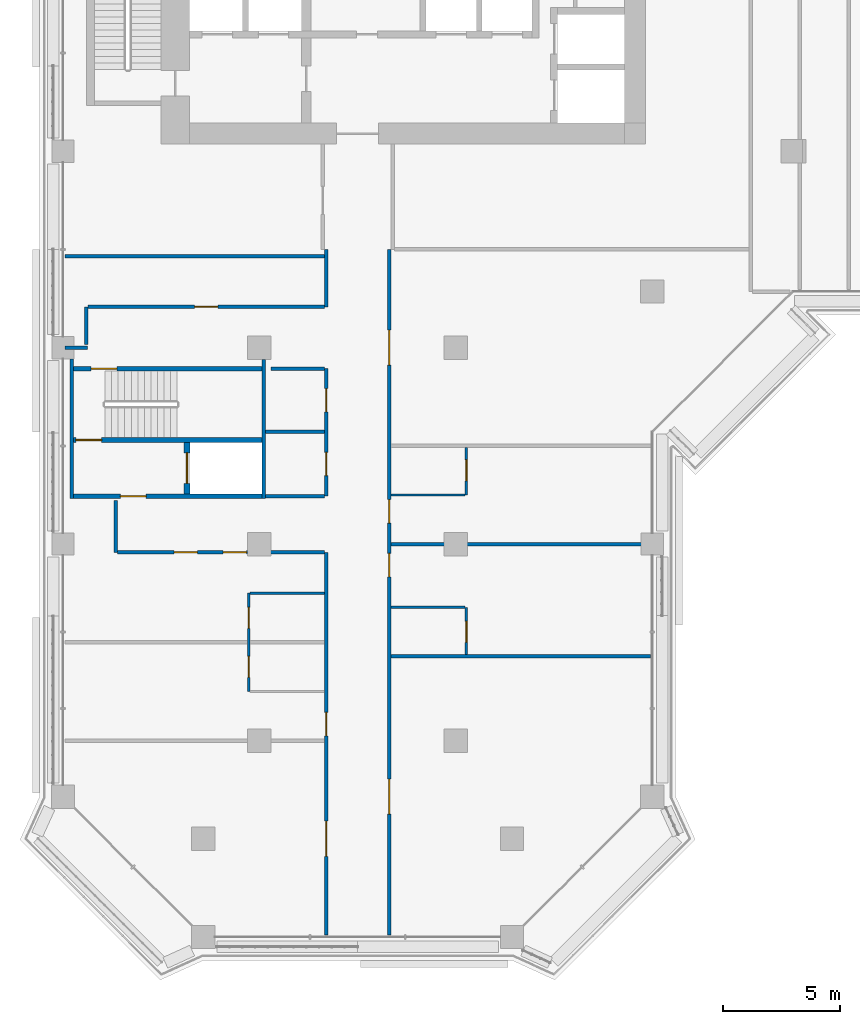
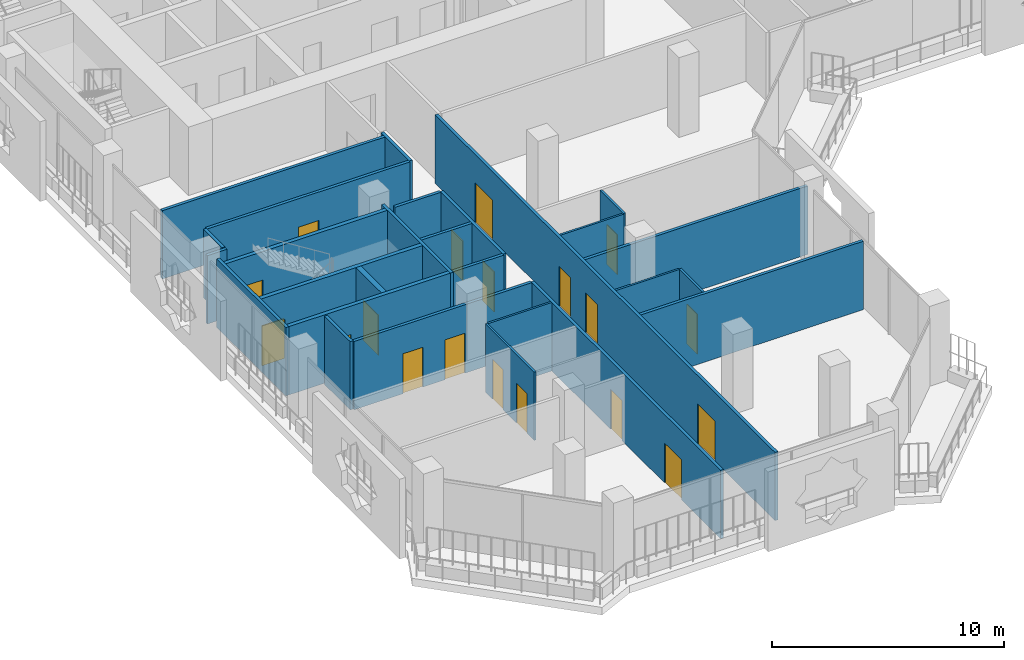
# One storey, part 11 of 24: 27 walls, 19 doors, 19 openings.
"""IFC4 building model written with IfcOpenShell, lengths in metres."""

from ifc_helpers import new_model, si_unit, direction, frame, frame_2d, origin, place, context, subcontext, project, spatial, rectangle, extrude, material, layer, layer_set, type_object, element, fill, save


model = new_model("IFC4")

# Units and contexts
model_context = context("Model", 3, precision=1e-05, world=origin(), true_north=direction((0.0, 1.0)))
body_context = subcontext(model_context, "Body", "Model", "MODEL_VIEW")
ifc_project = project(units=[si_unit("LENGTHUNIT", "METRE"), si_unit("AREAUNIT", "SQUARE_METRE"), si_unit("VOLUMEUNIT", "CUBIC_METRE"), si_unit("PLANEANGLEUNIT", "RADIAN"), si_unit("MASSUNIT", "GRAM", prefix="KILO")], contexts=[model_context])

# Site, building, storey
site_placement = place(None, origin())
site = spatial("IfcSite", under=ifc_project, at=site_placement, CompositionType="ELEMENT")
building_placement = place(site_placement, origin())
building = spatial("IfcBuilding", under=site, at=building_placement, Name="Kawkab Arch Medical Tower", CompositionType="ELEMENT")
storey_placement = place(building_placement, frame((0.0, 0.0, 162.60009765625)))
storey = spatial("IfcBuildingStorey", under=building, at=storey_placement, Name="L37", CompositionType="ELEMENT", Elevation=162.60009765625)

# Wall, opening, door
ifc_material_1 = material(Name="Concrete C60/75", Category="concrete")
ifc_layer_1 = layer(ifc_material_1, 0.25)
ifc_layer_set_1 = layer_set([ifc_layer_1], Name="Concrete C60/75")
wall_type_1 = type_object("IfcWallType", Name="Core shear wall 250 C60/75", PredefinedType="SHEAR", material=ifc_layer_set_1)
wall_1_placement = place(storey_placement, frame((5.300048828125, -39.85009765625, 0.0), z_axis=(0.0, 0.0, 1.0), x_axis=(0.0, 1.0, 0.0)))
wall_1 = element("IfcWall", 1, at=wall_1_placement, inside=storey, type_object=wall_type_1, Name="L37 core shear wall", PredefinedType="SHEAR", context=body_context, shape_type="SweptSolid", body=[
    extrude(rectangle(XDim=2.2001953125, YDim=0.25, at=frame_2d((1.10009765625, 0.0))), origin(), (0.0, 0.0, 1.0), 3.599853515625),
])
opening_1_placement = place(wall_1_placement, frame((0.449951171875, 0.0, 0.0)))
opening_1 = element("IfcOpeningElement", 2, at=opening_1_placement, cuts=wall_1, Name="Opening LD2", PredefinedType="OPENING", context=body_context, shape_type="SweptSolid", body=[
    extrude(rectangle(XDim=1.300048828125, YDim=2.10009765625, at=frame_2d((0.64990234375, 1.050048828125))), frame((0.0, 0.135009765625, 0.0), z_axis=(0.0, -1.0, 0.0), x_axis=(1.0, 0.0, 0.0)), (0.0, 0.0, 1.0), 0.27001953125),
])
ifc_material_2 = material(Name="Stainless steel lift door leaf", Category="steel")
door_type_1 = type_object("IfcDoorType", Name="Lift landing door 1300", OperationType="DOUBLE_DOOR_SLIDING", PredefinedType="DOOR", material=ifc_material_2)
door_1_placement = place(opening_1_placement, origin())
door_1 = element("IfcDoor", 3, at=door_1_placement, inside=storey, type_object=door_type_1, Name="L37 Lift landing door SV2", OperationType="DOUBLE_DOOR_SLIDING", OverallHeight=2.10009765625, OverallWidth=1.300048828125, PredefinedType="DOOR", context=body_context, shape_type="SweptSolid", body=[
    extrude(rectangle(XDim=1.300048828125, YDim=2.10009765625, at=frame_2d((0.64990234375, 1.050048828125))), frame((0.0, 0.02490234375, 0.0), z_axis=(0.0, -1.0, 0.0), x_axis=(1.0, 0.0, 0.0)), (0.0, 0.0, 1.0), 0.050048828125),
])
fill(opening_1, door_1)

# Walls
ifc_material_3 = material(Name="Gypsum board partition on steel studs", Category="steel")
ifc_layer_2 = layer(ifc_material_3, 0.10009765625)
ifc_layer_set_2 = layer_set([ifc_layer_2], Name="Gypsum board partition on steel studs")
wall_type_2 = type_object("IfcWallType", Name="Partition 100", PredefinedType="PARTITIONING", material=ifc_layer_set_2)
for number, where, z_axis, x_axis, name in (
    (4, (14.02490234375, -44.699951171875, 0.0), (0.0, 0.0, 1.0), (1.0, 0.0, 0.0), "Partition 100 w002"),
    (5, (8.0, -44.10009765625, 0.0), (0.0, 0.0, 1.0), (1.0, 0.0, 0.0), "Partition 100 w003"),
    (6, (14.02490234375, -39.89990234375, 0.0), (0.0, 0.0, 1.0), (1.0, 0.0, 0.0), "Partition 100 w004"),
):
    element("IfcWall", number, at=place(storey_placement, frame(where, z_axis=z_axis, x_axis=x_axis)), inside=storey, type_object=wall_type_2, Name=name, PredefinedType="PARTITIONING", context=body_context, shape_type="SweptSolid", body=[
        extrude(rectangle(XDim=3.175048828125, YDim=0.10009765625, at=frame_2d((1.58740234375, 0.0))), origin(), (0.0, 0.0, 1.0), 3.599853515625),
    ])

# Wall, openings, doors
wall_2_placement = place(storey_placement, frame((7.949951171875, -48.300048828125, 0.0), z_axis=(0.0, 0.0, 1.0), x_axis=(0.0, 1.0, 0.0)))
wall_2 = element("IfcWall", 7, at=wall_2_placement, inside=storey, type_object=wall_type_2, Name="Partition 100 w010", PredefinedType="PARTITIONING", context=body_context, shape_type="SweptSolid", body=[
    extrude(rectangle(XDim=4.199951171875, YDim=0.10009765625, at=frame_2d((2.10009765625, 0.0))), origin(), (0.0, 0.0, 1.0), 3.599853515625),
])
opening_2_placement = place(wall_2_placement, frame((2.699951171875, 0.0, 0.0)))
opening_2 = element("IfcOpeningElement", 8, at=opening_2_placement, cuts=wall_2, Name="Opening B37-011", PredefinedType="OPENING", context=body_context, shape_type="SweptSolid", body=[
    extrude(rectangle(XDim=0.89990234375, YDim=2.10009765625, at=frame_2d((0.449951171875, 1.050048828125))), frame((0.0, 0.06005859375, 0.0), z_axis=(0.0, -1.0, 0.0), x_axis=(1.0, 0.0, 0.0)), (0.0, 0.0, 1.0), 0.1201171875),
])
opening_3_placement = place(wall_2_placement, frame((0.60009765625, 0.0, 0.0)))
opening_3 = element("IfcOpeningElement", 9, at=opening_3_placement, cuts=wall_2, Name="Opening B37-012", PredefinedType="OPENING", context=body_context, shape_type="SweptSolid", body=[
    extrude(rectangle(XDim=0.89990234375, YDim=2.10009765625, at=frame_2d((0.449951171875, 1.050048828125))), frame((0.0, 0.06005859375, 0.0), z_axis=(0.0, -1.0, 0.0), x_axis=(1.0, 0.0, 0.0)), (0.0, 0.0, 1.0), 0.1201171875),
])
ifc_material_4 = material(Name="Timber door leaf", Category="wood")
door_type_2 = type_object("IfcDoorType", Name="Single door 900x2100", OperationType="NOTDEFINED", PredefinedType="DOOR", material=ifc_material_4)
door_2_placement = place(opening_2_placement, origin())
door_2 = element("IfcDoor", 10, at=door_2_placement, inside=storey, type_object=door_type_2, Name="Door B37-011", OperationType="SINGLE_SWING_RIGHT", OverallHeight=2.10009765625, OverallWidth=0.89990234375, PredefinedType="DOOR", context=body_context, shape_type="SweptSolid", body=[
    extrude(rectangle(XDim=0.89990234375, YDim=2.10009765625, at=frame_2d((0.449951171875, 1.050048828125))), frame((0.0, 0.02490234375, 0.0), z_axis=(0.0, -1.0, 0.0), x_axis=(1.0, 0.0, 0.0)), (0.0, 0.0, 1.0), 0.050048828125),
])
fill(opening_2, door_2)
door_3_placement = place(opening_3_placement, origin())
door_3 = element("IfcDoor", 11, at=door_3_placement, inside=storey, type_object=door_type_2, Name="Door B37-012", OperationType="SINGLE_SWING_LEFT", OverallHeight=2.10009765625, OverallWidth=0.89990234375, PredefinedType="DOOR", context=body_context, shape_type="SweptSolid", body=[
    extrude(rectangle(XDim=0.89990234375, YDim=2.10009765625, at=frame_2d((0.449951171875, 1.050048828125))), frame((0.0, 0.02490234375, 0.0), z_axis=(0.0, -1.0, 0.0), x_axis=(1.0, 0.0, 0.0)), (0.0, 0.0, 1.0), 0.050048828125),
])
fill(opening_3, door_3)

# Wall, opening, door
wall_3_placement = place(storey_placement, frame((17.25, -46.72509765625, 0.0), z_axis=(0.0, 0.0, 1.0), x_axis=(0.0, 1.0, 0.0)))
wall_3 = element("IfcWall", 12, at=wall_3_placement, inside=storey, type_object=wall_type_2, Name="Partition 100 w011", PredefinedType="PARTITIONING", context=body_context, shape_type="SweptSolid", body=[
    extrude(rectangle(XDim=2.025146484375, YDim=0.10009765625, at=frame_2d((1.0126953125, 0.0))), origin(), (0.0, 0.0, 1.0), 3.599853515625),
])
opening_4_placement = place(wall_3_placement, frame((0.52490234375, 0.0, 0.0)))
opening_4 = element("IfcOpeningElement", 13, at=opening_4_placement, cuts=wall_3, Name="Opening B37-014", PredefinedType="OPENING", context=body_context, shape_type="SweptSolid", body=[
    extrude(rectangle(XDim=0.89990234375, YDim=2.10009765625, at=frame_2d((0.449951171875, 1.050048828125))), frame((0.0, 0.06005859375, 0.0), z_axis=(0.0, -1.0, 0.0), x_axis=(1.0, 0.0, 0.0)), (0.0, 0.0, 1.0), 0.1201171875),
])
door_4_placement = place(opening_4_placement, origin())
door_4 = element("IfcDoor", 14, at=door_4_placement, inside=storey, type_object=door_type_2, Name="Door B37-014", OperationType="SINGLE_SWING_RIGHT", OverallHeight=2.10009765625, OverallWidth=0.89990234375, PredefinedType="DOOR", context=body_context, shape_type="SweptSolid", body=[
    extrude(rectangle(XDim=0.89990234375, YDim=2.10009765625, at=frame_2d((0.449951171875, 1.050048828125))), frame((0.0, 0.02490234375, 0.0), z_axis=(0.0, -1.0, 0.0), x_axis=(1.0, 0.0, 0.0)), (0.0, 0.0, 1.0), 0.050048828125),
])
fill(opening_4, door_4)

wall_4_placement = place(storey_placement, frame((17.25, -39.89990234375, 0.0), z_axis=(0.0, 0.0, 1.0), x_axis=(0.0, 1.0, 0.0)))
wall_4 = element("IfcWall", 15, at=wall_4_placement, inside=storey, type_object=wall_type_2, Name="Partition 100 w012", PredefinedType="PARTITIONING", context=body_context, shape_type="SweptSolid", body=[
    extrude(rectangle(XDim=2.02490234375, YDim=0.10009765625, at=frame_2d((1.012451171875, 0.0))), origin(), (0.0, 0.0, 1.0), 3.599853515625),
])
opening_5_placement = place(wall_4_placement, frame((0.60009765625, 0.0, 0.0)))
opening_5 = element("IfcOpeningElement", 16, at=opening_5_placement, cuts=wall_4, Name="Opening B37-013", PredefinedType="OPENING", context=body_context, shape_type="SweptSolid", body=[
    extrude(rectangle(XDim=0.89990234375, YDim=2.10009765625, at=frame_2d((0.449951171875, 1.050048828125))), frame((0.0, 0.06005859375, 0.0), z_axis=(0.0, -1.0, 0.0), x_axis=(1.0, 0.0, 0.0)), (0.0, 0.0, 1.0), 0.1201171875),
])
door_5_placement = place(opening_5_placement, origin())
door_5 = element("IfcDoor", 17, at=door_5_placement, inside=storey, type_object=door_type_2, Name="Door B37-013", OperationType="SINGLE_SWING_RIGHT", OverallHeight=2.10009765625, OverallWidth=0.89990234375, PredefinedType="DOOR", context=body_context, shape_type="SweptSolid", body=[
    extrude(rectangle(XDim=0.89990234375, YDim=2.10009765625, at=frame_2d((0.449951171875, 1.050048828125))), frame((0.0, 0.02490234375, 0.0), z_axis=(0.0, -1.0, 0.0), x_axis=(1.0, 0.0, 0.0)), (0.0, 0.0, 1.0), 0.050048828125),
])
fill(opening_5, door_5)

# Wall
ifc_material_5 = material(Name="Gypsum board partition on steel studs, mineral wool", Category="steel")
ifc_layer_3 = layer(ifc_material_5, 0.14990234375)
ifc_layer_set_3 = layer_set([ifc_layer_3], Name="Gypsum board partition on steel studs, mineral wool")
wall_type_3 = type_object("IfcWallType", Name="Partition 150", PredefinedType="PARTITIONING", material=ifc_layer_set_3)
wall_5_placement = place(storey_placement, frame((14.02490234375, -46.800048828125, 0.0), z_axis=(0.0, 0.0, 1.0), x_axis=(1.0, 0.0, 0.0)))
element("IfcWall", 18, at=wall_5_placement, inside=storey, type_object=wall_type_3, Name="Partition 150 w022", PredefinedType="PARTITIONING", context=body_context, shape_type="SweptSolid", body=[
    extrude(rectangle(XDim=11.09521484375, YDim=0.14990234375, at=frame_2d((5.547607421875, 0.0))), origin(), (0.0, 0.0, 1.0), 3.599853515625),
])

# Wall, openings, doors
wall_6_placement = place(storey_placement, frame((2.326904296875, -42.35009765625, 0.0), z_axis=(0.0, 0.0, 1.0), x_axis=(1.0, 0.0, 0.0)))
wall_6 = element("IfcWall", 19, at=wall_6_placement, inside=storey, type_object=wall_type_3, Name="Partition 150 w024", PredefinedType="PARTITIONING", context=body_context, shape_type="SweptSolid", body=[
    extrude(rectangle(XDim=8.84814453125, YDim=0.14990234375, at=frame_2d((4.424072265625, 0.0))), origin(), (0.0, 0.0, 1.0), 3.599853515625),
])
opening_6_placement = place(wall_6_placement, frame((4.52392578125, 0.0, 0.0)))
opening_6 = element("IfcOpeningElement", 20, at=opening_6_placement, cuts=wall_6, Name="Opening B37-035", PredefinedType="OPENING", context=body_context, shape_type="SweptSolid", body=[
    extrude(rectangle(XDim=1.0, YDim=2.10009765625, at=frame_2d((0.5, 1.050048828125))), frame((0.0, 0.0849609375, 0.0), z_axis=(0.0, -1.0, 0.0), x_axis=(1.0, 0.0, 0.0)), (0.0, 0.0, 1.0), 0.169921875),
])
opening_7_placement = place(wall_6_placement, frame((2.424072265625, 0.0, 0.0)))
opening_7 = element("IfcOpeningElement", 21, at=opening_7_placement, cuts=wall_6, Name="Opening B37-036", PredefinedType="OPENING", context=body_context, shape_type="SweptSolid", body=[
    extrude(rectangle(XDim=1.0, YDim=2.10009765625, at=frame_2d((0.5, 1.050048828125))), frame((0.0, 0.0849609375, 0.0), z_axis=(0.0, -1.0, 0.0), x_axis=(1.0, 0.0, 0.0)), (0.0, 0.0, 1.0), 0.169921875),
])
ifc_material_6 = material(Name="Hollow metal door leaf")
door_type_3 = type_object("IfcDoorType", Name="Single door 1000x2100 FD30S", OperationType="NOTDEFINED", PredefinedType="DOOR", material=ifc_material_6)
door_6_placement = place(opening_6_placement, origin())
door_6 = element("IfcDoor", 22, at=door_6_placement, inside=storey, type_object=door_type_3, Name="Door B37-035", OperationType="SINGLE_SWING_LEFT", OverallHeight=2.10009765625, OverallWidth=1.0, PredefinedType="DOOR", context=body_context, shape_type="SweptSolid", body=[
    extrude(rectangle(XDim=1.0, YDim=2.10009765625, at=frame_2d((0.5, 1.050048828125))), frame((0.0, 0.02490234375, 0.0), z_axis=(0.0, -1.0, 0.0), x_axis=(1.0, 0.0, 0.0)), (0.0, 0.0, 1.0), 0.050048828125),
])
fill(opening_6, door_6)
door_7_placement = place(opening_7_placement, origin())
door_7 = element("IfcDoor", 23, at=door_7_placement, inside=storey, type_object=door_type_3, Name="Door B37-036", OperationType="SINGLE_SWING_RIGHT", OverallHeight=2.10009765625, OverallWidth=1.0, PredefinedType="DOOR", context=body_context, shape_type="SweptSolid", body=[
    extrude(rectangle(XDim=1.0, YDim=2.10009765625, at=frame_2d((0.5, 1.050048828125))), frame((0.0, 0.02490234375, 0.0), z_axis=(0.0, -1.0, 0.0), x_axis=(1.0, 0.0, 0.0)), (0.0, 0.0, 1.0), 0.050048828125),
])
fill(opening_7, door_7)

# Walls
wall_7_placement = place(storey_placement, frame((14.02490234375, -42.0, 0.0), z_axis=(0.0, 0.0, 1.0), x_axis=(1.0, 0.0, 0.0)))
element("IfcWall", 24, at=wall_7_placement, inside=storey, type_object=wall_type_3, Name="Partition 150 w025", PredefinedType="PARTITIONING", context=body_context, shape_type="SweptSolid", body=[
    extrude(rectangle(XDim=11.09521484375, YDim=0.14990234375, at=frame_2d((5.547607421875, 0.0))), origin(), (0.0, 0.0, 1.0), 3.599853515625),
])
for number, where, z_axis, x_axis, name in (
    (25, (8.64990234375, -39.949951171875, 0.0), (0.0, 0.0, 1.0), (1.0, 0.0, 0.0), "Partition 150 w026"),
    (26, (8.64990234375, -37.199951171875, 0.0), (0.0, 0.0, 1.0), (1.0, 0.0, 0.0), "Partition 150 w028"),
):
    element("IfcWall", number, at=place(storey_placement, frame(where, z_axis=z_axis, x_axis=x_axis)), inside=storey, type_object=wall_type_3, Name=name, PredefinedType="PARTITIONING", context=body_context, shape_type="SweptSolid", body=[
        extrude(rectangle(XDim=2.525146484375, YDim=0.14990234375, at=frame_2d((1.2626953125, 0.0))), origin(), (0.0, 0.0, 1.0), 3.599853515625),
    ])
wall_8_placement = place(storey_placement, frame((8.89990234375, -34.5, 0.0), z_axis=(0.0, 0.0, 1.0), x_axis=(1.0, 0.0, 0.0)))
element("IfcWall", 27, at=wall_8_placement, inside=storey, type_object=wall_type_3, Name="Partition 150 w029", PredefinedType="PARTITIONING", context=body_context, shape_type="SweptSolid", body=[
    extrude(rectangle(XDim=2.275146484375, YDim=0.14990234375, at=frame_2d((1.1376953125, 0.0))), origin(), (0.0, 0.0, 1.0), 3.599853515625),
])
wall_9_placement = place(storey_placement, frame((0.080078125, -33.60009765625, 0.0), z_axis=(0.0, 0.0, 1.0), x_axis=(1.0, 0.0, 0.0)))
element("IfcWall", 28, at=wall_9_placement, inside=storey, type_object=wall_type_3, Name="Partition 150 w030", PredefinedType="PARTITIONING", context=body_context, shape_type="SweptSolid", body=[
    extrude(rectangle(XDim=0.969970703125, YDim=0.14990234375, at=frame_2d((0.48486328125, 0.0))), origin(), (0.0, 0.0, 1.0), 3.599853515625),
])

# Wall, opening, door
wall_10_placement = place(storey_placement, frame((1.074951171875, -31.85693359375, 0.0), z_axis=(0.0, 0.0, 1.0), x_axis=(1.0, 0.0, 0.0)))
wall_10 = element("IfcWall", 29, at=wall_10_placement, inside=storey, type_object=wall_type_3, Name="Partition 150 w031", PredefinedType="PARTITIONING", context=body_context, shape_type="SweptSolid", body=[
    extrude(rectangle(XDim=10.10009765625, YDim=0.14990234375, at=frame_2d((5.050048828125, 0.0))), origin(), (0.0, 0.0, 1.0), 3.599853515625),
])
opening_8_placement = place(wall_10_placement, frame((4.550048828125, 0.0, 0.0)))
opening_8 = element("IfcOpeningElement", 30, at=opening_8_placement, cuts=wall_10, Name="Opening B37-032", PredefinedType="OPENING", context=body_context, shape_type="SweptSolid", body=[
    extrude(rectangle(XDim=1.0, YDim=2.10009765625, at=frame_2d((0.5, 1.050048828125))), frame((0.0, 0.0849609375, 0.0), z_axis=(0.0, -1.0, 0.0), x_axis=(1.0, 0.0, 0.0)), (0.0, 0.0, 1.0), 0.169921875),
])
door_8_placement = place(opening_8_placement, origin())
door_8 = element("IfcDoor", 31, at=door_8_placement, inside=storey, type_object=door_type_3, Name="Door B37-032", OperationType="SINGLE_SWING_RIGHT", OverallHeight=2.10009765625, OverallWidth=1.0, PredefinedType="DOOR", context=body_context, shape_type="SweptSolid", body=[
    extrude(rectangle(XDim=1.0, YDim=2.10009765625, at=frame_2d((0.5, 1.050048828125))), frame((0.0, 0.02490234375, 0.0), z_axis=(0.0, -1.0, 0.0), x_axis=(1.0, 0.0, 0.0)), (0.0, 0.0, 1.0), 0.050048828125),
])
fill(opening_8, door_8)

# Walls
wall_11_placement = place(storey_placement, frame((0.080078125, -29.699951171875, 0.0), z_axis=(0.0, 0.0, 1.0), x_axis=(1.0, 0.0, 0.0)))
element("IfcWall", 32, at=wall_11_placement, inside=storey, type_object=wall_type_3, Name="Partition 150 w033", PredefinedType="PARTITIONING", context=body_context, shape_type="SweptSolid", body=[
    extrude(rectangle(XDim=11.094970703125, YDim=0.14990234375, at=frame_2d((5.54736328125, 0.0))), origin(), (0.0, 0.0, 1.0), 3.599853515625),
])
wall_12_placement = place(storey_placement, frame((1.0, -33.465087890625, 0.0), z_axis=(0.0, 0.0, 1.0), x_axis=(0.0, 1.0, 0.0)))
element("IfcWall", 33, at=wall_12_placement, inside=storey, type_object=wall_type_3, Name="Partition 150 w045", PredefinedType="PARTITIONING", context=body_context, shape_type="SweptSolid", body=[
    extrude(rectangle(XDim=1.608154296875, YDim=0.14990234375, at=frame_2d((0.80419921875, 0.0))), origin(), (0.0, 0.0, 1.0), 3.599853515625),
])
wall_13_placement = place(storey_placement, frame((2.25, -42.347900390625, 0.0), z_axis=(0.0, 0.0, 1.0), x_axis=(0.0, 1.0, 0.0)))
element("IfcWall", 34, at=wall_13_placement, inside=storey, type_object=wall_type_3, Name="Partition 150 w046", PredefinedType="PARTITIONING", context=body_context, shape_type="SweptSolid", body=[
    extrude(rectangle(XDim=2.218017578125, YDim=0.14990234375, at=frame_2d((1.10888671875, 0.0))), origin(), (0.0, 0.0, 1.0), 3.599853515625),
])

# Wall, openings, doors
wall_14_placement = place(storey_placement, frame((11.25, -58.719970703125, 0.0), z_axis=(0.0, 0.0, 1.0), x_axis=(0.0, 1.0, 0.0)))
wall_14 = element("IfcWall", 35, at=wall_14_placement, inside=storey, type_object=wall_type_3, Name="Partition 150 w048", PredefinedType="PARTITIONING", context=body_context, shape_type="SweptSolid", body=[
    extrude(rectangle(XDim=16.369873046875, YDim=0.14990234375, at=frame_2d((8.18505859375, 0.0))), origin(), (0.0, 0.0, 1.0), 3.599853515625),
])
opening_9_placement = place(wall_14_placement, frame((8.52001953125, 0.0, 0.0)))
opening_9 = element("IfcOpeningElement", 36, at=opening_9_placement, cuts=wall_14, Name="Opening B37-037", PredefinedType="OPENING", context=body_context, shape_type="SweptSolid", body=[
    extrude(rectangle(XDim=1.0, YDim=2.10009765625, at=frame_2d((0.5, 1.050048828125))), frame((0.0, 0.0849609375, 0.0), z_axis=(0.0, -1.0, 0.0), x_axis=(1.0, 0.0, 0.0)), (0.0, 0.0, 1.0), 0.169921875),
])
opening_10_placement = place(wall_14_placement, frame((3.3701171875, 0.0, 0.0)))
opening_10 = element("IfcOpeningElement", 37, at=opening_10_placement, cuts=wall_14, Name="Opening B37-002", PredefinedType="OPENING", context=body_context, shape_type="SweptSolid", body=[
    extrude(rectangle(XDim=1.5, YDim=2.10009765625, at=frame_2d((0.75, 1.050048828125))), frame((0.0, 0.0849609375, 0.0), z_axis=(0.0, -1.0, 0.0), x_axis=(1.0, 0.0, 0.0)), (0.0, 0.0, 1.0), 0.169921875),
])
ifc_material_7 = material(Name="Hollow metal door leaf")
door_type_4 = type_object("IfcDoorType", Name="Double door 1500x2100 FD30S", OperationType="NOTDEFINED", PredefinedType="DOOR", material=ifc_material_7)
door_9_placement = place(opening_10_placement, origin())
door_9 = element("IfcDoor", 38, at=door_9_placement, inside=storey, type_object=door_type_4, Name="Door B37-002", OperationType="DOUBLE_DOOR_SINGLE_SWING", OverallHeight=2.10009765625, OverallWidth=1.5, PredefinedType="DOOR", context=body_context, shape_type="SweptSolid", body=[
    extrude(rectangle(XDim=1.5, YDim=2.10009765625, at=frame_2d((0.75, 1.050048828125))), frame((0.0, 0.02490234375, 0.0), z_axis=(0.0, -1.0, 0.0), x_axis=(1.0, 0.0, 0.0)), (0.0, 0.0, 1.0), 0.050048828125),
])
fill(opening_10, door_9)
door_10_placement = place(opening_9_placement, origin())
door_10 = element("IfcDoor", 39, at=door_10_placement, inside=storey, type_object=door_type_3, Name="Door B37-037", OperationType="SINGLE_SWING_RIGHT", OverallHeight=2.10009765625, OverallWidth=1.0, PredefinedType="DOOR", context=body_context, shape_type="SweptSolid", body=[
    extrude(rectangle(XDim=1.0, YDim=2.10009765625, at=frame_2d((0.5, 1.050048828125))), frame((0.0, 0.02490234375, 0.0), z_axis=(0.0, -1.0, 0.0), x_axis=(1.0, 0.0, 0.0)), (0.0, 0.0, 1.0), 0.050048828125),
])
fill(opening_9, door_10)

wall_15_placement = place(storey_placement, frame((11.25, -39.949951171875, 0.0), z_axis=(0.0, 0.0, 1.0), x_axis=(0.0, 1.0, 0.0)))
wall_15 = element("IfcWall", 40, at=wall_15_placement, inside=storey, type_object=wall_type_3, Name="Partition 150 w049", PredefinedType="PARTITIONING", context=body_context, shape_type="SweptSolid", body=[
    extrude(rectangle(XDim=5.449951171875, YDim=0.14990234375, at=frame_2d((2.72509765625, 0.0))), origin(), (0.0, 0.0, 1.0), 3.599853515625),
])
opening_11_placement = place(wall_15_placement, frame((3.60009765625, 0.0, 0.0)))
opening_11 = element("IfcOpeningElement", 41, at=opening_11_placement, cuts=wall_15, Name="Opening B37-033", PredefinedType="OPENING", context=body_context, shape_type="SweptSolid", body=[
    extrude(rectangle(XDim=1.0, YDim=2.10009765625, at=frame_2d((0.5, 1.050048828125))), frame((0.0, 0.0849609375, 0.0), z_axis=(0.0, -1.0, 0.0), x_axis=(1.0, 0.0, 0.0)), (0.0, 0.0, 1.0), 0.169921875),
])
opening_12_placement = place(wall_15_placement, frame((0.875, 0.0, 0.0)))
opening_12 = element("IfcOpeningElement", 42, at=opening_12_placement, cuts=wall_15, Name="Opening B37-034", PredefinedType="OPENING", context=body_context, shape_type="SweptSolid", body=[
    extrude(rectangle(XDim=1.0, YDim=2.10009765625, at=frame_2d((0.5, 1.050048828125))), frame((0.0, 0.0849609375, 0.0), z_axis=(0.0, -1.0, 0.0), x_axis=(1.0, 0.0, 0.0)), (0.0, 0.0, 1.0), 0.169921875),
])
door_11_placement = place(opening_11_placement, origin())
door_11 = element("IfcDoor", 43, at=door_11_placement, inside=storey, type_object=door_type_3, Name="Door B37-033", OperationType="SINGLE_SWING_RIGHT", OverallHeight=2.10009765625, OverallWidth=1.0, PredefinedType="DOOR", context=body_context, shape_type="SweptSolid", body=[
    extrude(rectangle(XDim=1.0, YDim=2.10009765625, at=frame_2d((0.5, 1.050048828125))), frame((0.0, 0.02490234375, 0.0), z_axis=(0.0, -1.0, 0.0), x_axis=(1.0, 0.0, 0.0)), (0.0, 0.0, 1.0), 0.050048828125),
])
fill(opening_11, door_11)
door_12_placement = place(opening_12_placement, origin())
door_12 = element("IfcDoor", 44, at=door_12_placement, inside=storey, type_object=door_type_3, Name="Door B37-034", OperationType="SINGLE_SWING_LEFT", OverallHeight=2.10009765625, OverallWidth=1.0, PredefinedType="DOOR", context=body_context, shape_type="SweptSolid", body=[
    extrude(rectangle(XDim=1.0, YDim=2.10009765625, at=frame_2d((0.5, 1.050048828125))), frame((0.0, 0.02490234375, 0.0), z_axis=(0.0, -1.0, 0.0), x_axis=(1.0, 0.0, 0.0)), (0.0, 0.0, 1.0), 0.050048828125),
])
fill(opening_12, door_12)

# Wall
wall_16_placement = place(storey_placement, frame((11.25, -31.85693359375, 0.0), z_axis=(0.0, 0.0, 1.0), x_axis=(0.0, 1.0, 0.0)))
element("IfcWall", 45, at=wall_16_placement, inside=storey, type_object=wall_type_3, Name="Partition 150 w050", PredefinedType="PARTITIONING", context=body_context, shape_type="SweptSolid", body=[
    extrude(rectangle(XDim=2.45703125, YDim=0.14990234375, at=frame_2d((1.228515625, 0.0))), origin(), (0.0, 0.0, 1.0), 3.599853515625),
])

# Wall, openings, doors
wall_17_placement = place(storey_placement, frame((13.949951171875, -58.719970703125, 0.0), z_axis=(0.0, 0.0, 1.0), x_axis=(0.0, 1.0, 0.0)))
wall_17 = element("IfcWall", 46, at=wall_17_placement, inside=storey, type_object=wall_type_3, Name="Partition 150 w051", PredefinedType="PARTITIONING", context=body_context, shape_type="SweptSolid", body=[
    extrude(rectangle(XDim=29.320068359375, YDim=0.14990234375, at=frame_2d((14.66015625, 0.0))), origin(), (0.0, 0.0, 1.0), 3.599853515625),
])
opening_13_placement = place(wall_17_placement, frame((24.3701171875, 0.0, 0.0)))
opening_13 = element("IfcOpeningElement", 47, at=opening_13_placement, cuts=wall_17, Name="Opening B37-003", PredefinedType="OPENING", context=body_context, shape_type="SweptSolid", body=[
    extrude(rectangle(XDim=1.5, YDim=2.10009765625, at=frame_2d((0.75, 1.050048828125))), frame((0.0, 0.0849609375, 0.0), z_axis=(0.0, -1.0, 0.0), x_axis=(1.0, 0.0, 0.0)), (0.0, 0.0, 1.0), 0.169921875),
])
opening_14_placement = place(wall_17_placement, frame((17.6201171875, 0.0, 0.0)))
opening_14 = element("IfcOpeningElement", 48, at=opening_14_placement, cuts=wall_17, Name="Opening B37-038", PredefinedType="OPENING", context=body_context, shape_type="SweptSolid", body=[
    extrude(rectangle(XDim=1.0, YDim=2.10009765625, at=frame_2d((0.5, 1.050048828125))), frame((0.0, 0.0849609375, 0.0), z_axis=(0.0, -1.0, 0.0), x_axis=(1.0, 0.0, 0.0)), (0.0, 0.0, 1.0), 0.169921875),
])
opening_15_placement = place(wall_17_placement, frame((15.320068359375, 0.0, 0.0)))
opening_15 = element("IfcOpeningElement", 49, at=opening_15_placement, cuts=wall_17, Name="Opening B37-039", PredefinedType="OPENING", context=body_context, shape_type="SweptSolid", body=[
    extrude(rectangle(XDim=1.0, YDim=2.10009765625, at=frame_2d((0.5, 1.050048828125))), frame((0.0, 0.0849609375, 0.0), z_axis=(0.0, -1.0, 0.0), x_axis=(1.0, 0.0, 0.0)), (0.0, 0.0, 1.0), 0.169921875),
])
opening_16_placement = place(wall_17_placement, frame((5.169921875, 0.0, 0.0)))
opening_16 = element("IfcOpeningElement", 50, at=opening_16_placement, cuts=wall_17, Name="Opening B37-004", PredefinedType="OPENING", context=body_context, shape_type="SweptSolid", body=[
    extrude(rectangle(XDim=1.5, YDim=2.10009765625, at=frame_2d((0.75, 1.050048828125))), frame((0.0, 0.0849609375, 0.0), z_axis=(0.0, -1.0, 0.0), x_axis=(1.0, 0.0, 0.0)), (0.0, 0.0, 1.0), 0.169921875),
])
door_13_placement = place(opening_13_placement, origin())
door_13 = element("IfcDoor", 51, at=door_13_placement, inside=storey, type_object=door_type_4, Name="Door B37-003", OperationType="DOUBLE_DOOR_SINGLE_SWING", OverallHeight=2.10009765625, OverallWidth=1.5, PredefinedType="DOOR", context=body_context, shape_type="SweptSolid", body=[
    extrude(rectangle(XDim=1.5, YDim=2.10009765625, at=frame_2d((0.75, 1.050048828125))), frame((0.0, 0.02490234375, 0.0), z_axis=(0.0, -1.0, 0.0), x_axis=(1.0, 0.0, 0.0)), (0.0, 0.0, 1.0), 0.050048828125),
])
fill(opening_13, door_13)
door_14_placement = place(opening_16_placement, origin())
door_14 = element("IfcDoor", 52, at=door_14_placement, inside=storey, type_object=door_type_4, Name="Door B37-004", OperationType="DOUBLE_DOOR_SINGLE_SWING", OverallHeight=2.10009765625, OverallWidth=1.5, PredefinedType="DOOR", context=body_context, shape_type="SweptSolid", body=[
    extrude(rectangle(XDim=1.5, YDim=2.10009765625, at=frame_2d((0.75, 1.050048828125))), frame((0.0, 0.02490234375, 0.0), z_axis=(0.0, -1.0, 0.0), x_axis=(1.0, 0.0, 0.0)), (0.0, 0.0, 1.0), 0.050048828125),
])
fill(opening_16, door_14)
door_15_placement = place(opening_14_placement, origin())
door_15 = element("IfcDoor", 53, at=door_15_placement, inside=storey, type_object=door_type_3, Name="Door B37-038", OperationType="SINGLE_SWING_LEFT", OverallHeight=2.10009765625, OverallWidth=1.0, PredefinedType="DOOR", context=body_context, shape_type="SweptSolid", body=[
    extrude(rectangle(XDim=1.0, YDim=2.10009765625, at=frame_2d((0.5, 1.050048828125))), frame((0.0, 0.02490234375, 0.0), z_axis=(0.0, -1.0, 0.0), x_axis=(1.0, 0.0, 0.0)), (0.0, 0.0, 1.0), 0.050048828125),
])
fill(opening_14, door_15)
door_16_placement = place(opening_15_placement, origin())
door_16 = element("IfcDoor", 54, at=door_16_placement, inside=storey, type_object=door_type_3, Name="Door B37-039", OperationType="SINGLE_SWING_LEFT", OverallHeight=2.10009765625, OverallWidth=1.0, PredefinedType="DOOR", context=body_context, shape_type="SweptSolid", body=[
    extrude(rectangle(XDim=1.0, YDim=2.10009765625, at=frame_2d((0.5, 1.050048828125))), frame((0.0, 0.02490234375, 0.0), z_axis=(0.0, -1.0, 0.0), x_axis=(1.0, 0.0, 0.0)), (0.0, 0.0, 1.0), 0.050048828125),
])
fill(opening_15, door_16)

# Walls
ifc_material_8 = material(Name="Concrete C50/60", Category="concrete")
ifc_layer_4 = layer(ifc_material_8, 0.14990234375)
ifc_layer_set_4 = layer_set([ifc_layer_4], Name="Concrete C50/60")
wall_type_4 = type_object("IfcWallType", Name="Stair enclosure wall 150 C50/60", PredefinedType="SHEAR", material=ifc_layer_set_4)
wall_18_placement = place(storey_placement, frame((0.375, -40.050048828125, 0.0), z_axis=(0.0, 0.0, 1.0), x_axis=(0.0, 1.0, 0.0)))
element("IfcWall", 55, at=wall_18_placement, inside=storey, type_object=wall_type_4, Name="L37 stair enclosure wall", PredefinedType="SHEAR", context=body_context, shape_type="SweptSolid", body=[
    extrude(rectangle(XDim=5.97509765625, YDim=0.14990234375, at=frame_2d((2.987548828125, 0.0))), origin(), (0.0, 0.0, 1.0), 3.599853515625),
])
wall_19_placement = place(storey_placement, frame((8.574951171875, -40.050048828125, 0.0), z_axis=(0.0, 0.0, 1.0), x_axis=(0.0, 1.0, 0.0)))
element("IfcWall", 56, at=wall_19_placement, inside=storey, type_object=wall_type_4, Name="L37 stair enclosure wall", PredefinedType="SHEAR", context=body_context, shape_type="SweptSolid", body=[
    extrude(rectangle(XDim=5.949951171875, YDim=0.14990234375, at=frame_2d((2.97509765625, 0.0))), origin(), (0.0, 0.0, 1.0), 3.599853515625),
])

# Wall, opening, door
ifc_material_9 = material(Name="Concrete C50/60", Category="concrete")
ifc_layer_5 = layer(ifc_material_9, 0.199951171875)
ifc_layer_set_5 = layer_set([ifc_layer_5], Name="Concrete C50/60")
wall_type_5 = type_object("IfcWallType", Name="Stair enclosure wall 200 C50/60", PredefinedType="SHEAR", material=ifc_layer_set_5)
wall_20_placement = place(storey_placement, frame((0.449951171875, -34.5, 0.0), z_axis=(0.0, 0.0, 1.0), x_axis=(1.0, 0.0, 0.0)))
wall_20 = element("IfcWall", 57, at=wall_20_placement, inside=storey, type_object=wall_type_5, Name="L37 stair enclosure wall", PredefinedType="SHEAR", context=body_context, shape_type="SweptSolid", body=[
    extrude(rectangle(XDim=8.050048828125, YDim=0.199951171875, at=frame_2d((4.02490234375, 0.0))), origin(), (0.0, 0.0, 1.0), 3.599853515625),
])
opening_17_placement = place(wall_20_placement, frame((0.75, 0.0, 0.0)))
opening_17 = element("IfcOpeningElement", 58, at=opening_17_placement, cuts=wall_20, Name="Opening SD", PredefinedType="OPENING", context=body_context, shape_type="SweptSolid", body=[
    extrude(rectangle(XDim=1.10009765625, YDim=2.10009765625, at=frame_2d((0.550048828125, 1.050048828125))), frame((0.0, 0.10986328125, 0.0), z_axis=(0.0, -1.0, 0.0), x_axis=(1.0, 0.0, 0.0)), (0.0, 0.0, 1.0), 0.219970703125),
])
ifc_material_10 = material(Name="Hollow metal fire door leaf")
door_type_5 = type_object("IfcDoorType", Name="Exit stair door 1100", OperationType="SINGLE_SWING_LEFT", PredefinedType="DOOR", material=ifc_material_10)
door_17_placement = place(opening_17_placement, origin())
door_17 = element("IfcDoor", 59, at=door_17_placement, inside=storey, type_object=door_type_5, Name="L37 Exit stair ST6 door", OperationType="SINGLE_SWING_LEFT", OverallHeight=2.10009765625, OverallWidth=1.10009765625, PredefinedType="DOOR", context=body_context, shape_type="SweptSolid", body=[
    extrude(rectangle(XDim=1.10009765625, YDim=2.10009765625, at=frame_2d((0.550048828125, 1.050048828125))), frame((0.0, 0.02490234375, 0.0), z_axis=(0.0, -1.0, 0.0), x_axis=(1.0, 0.0, 0.0)), (0.0, 0.0, 1.0), 0.050048828125),
])
fill(opening_17, door_17)

wall_21_placement = place(storey_placement, frame((0.449951171875, -37.550048828125, 0.0), z_axis=(0.0, 0.0, 1.0), x_axis=(1.0, 0.0, 0.0)))
wall_21 = element("IfcWall", 60, at=wall_21_placement, inside=storey, type_object=wall_type_5, Name="L37 stair enclosure wall", PredefinedType="SHEAR", context=body_context, shape_type="SweptSolid", body=[
    extrude(rectangle(XDim=8.050048828125, YDim=0.199951171875, at=frame_2d((4.02490234375, 0.0))), origin(), (0.0, 0.0, 1.0), 3.599853515625),
])
opening_18_placement = place(wall_21_placement, frame((0.10009765625, 0.0, 0.0)))
opening_18 = element("IfcOpeningElement", 61, at=opening_18_placement, cuts=wall_21, Name="Opening SD", PredefinedType="OPENING", context=body_context, shape_type="SweptSolid", body=[
    extrude(rectangle(XDim=1.10009765625, YDim=2.10009765625, at=frame_2d((0.550048828125, 1.050048828125))), frame((0.0, 0.10986328125, 0.0), z_axis=(0.0, -1.0, 0.0), x_axis=(1.0, 0.0, 0.0)), (0.0, 0.0, 1.0), 0.219970703125),
])
door_18_placement = place(opening_18_placement, frame((1.10009765625, 0.0, 0.0), z_axis=(0.0, 0.0, 1.0), x_axis=(-1.0, 0.0, 0.0)))
door_18 = element("IfcDoor", 62, at=door_18_placement, inside=storey, type_object=door_type_5, Name="L37 Exit stair ST6 lobby door", OperationType="SINGLE_SWING_LEFT", OverallHeight=2.10009765625, OverallWidth=1.10009765625, PredefinedType="DOOR", context=body_context, shape_type="SweptSolid", body=[
    extrude(rectangle(XDim=1.10009765625, YDim=2.10009765625, at=frame_2d((0.550048828125, 1.050048828125))), frame((0.0, 0.02490234375, 0.0), z_axis=(0.0, -1.0, 0.0), x_axis=(1.0, 0.0, 0.0)), (0.0, 0.0, 1.0), 0.050048828125),
])
fill(opening_18, door_18)

wall_22_placement = place(storey_placement, frame((0.449951171875, -39.949951171875, 0.0), z_axis=(0.0, 0.0, 1.0), x_axis=(1.0, 0.0, 0.0)))
wall_22 = element("IfcWall", 63, at=wall_22_placement, inside=storey, type_object=wall_type_5, Name="L37 stair enclosure wall", PredefinedType="SHEAR", context=body_context, shape_type="SweptSolid", body=[
    extrude(rectangle(XDim=8.050048828125, YDim=0.199951171875, at=frame_2d((4.02490234375, 0.0))), origin(), (0.0, 0.0, 1.0), 3.599853515625),
])
opening_19_placement = place(wall_22_placement, frame((2.0, 0.0, 0.0)))
opening_19 = element("IfcOpeningElement", 64, at=opening_19_placement, cuts=wall_22, Name="Opening FD", PredefinedType="OPENING", context=body_context, shape_type="SweptSolid", body=[
    extrude(rectangle(XDim=1.10009765625, YDim=2.10009765625, at=frame_2d((0.550048828125, 1.050048828125))), frame((0.0, 0.10986328125, 0.0), z_axis=(0.0, -1.0, 0.0), x_axis=(1.0, 0.0, 0.0)), (0.0, 0.0, 1.0), 0.219970703125),
])
ifc_material_11 = material(Name="Hollow metal fire door leaf")
door_type_6 = type_object("IfcDoorType", Name="Firefighting lobby door 1100", OperationType="SINGLE_SWING_LEFT", PredefinedType="DOOR", material=ifc_material_11)
door_19_placement = place(opening_19_placement, origin())
door_19 = element("IfcDoor", 65, at=door_19_placement, inside=storey, type_object=door_type_6, Name="L37 Service lift lobby door SV2", OperationType="SINGLE_SWING_LEFT", OverallHeight=2.10009765625, OverallWidth=1.10009765625, PredefinedType="DOOR", context=body_context, shape_type="SweptSolid", body=[
    extrude(rectangle(XDim=1.10009765625, YDim=2.10009765625, at=frame_2d((0.550048828125, 1.050048828125))), frame((0.0, 0.02490234375, 0.0), z_axis=(0.0, -1.0, 0.0), x_axis=(1.0, 0.0, 0.0)), (0.0, 0.0, 1.0), 0.050048828125),
])
fill(opening_19, door_19)

save(model, "model.ifc")
